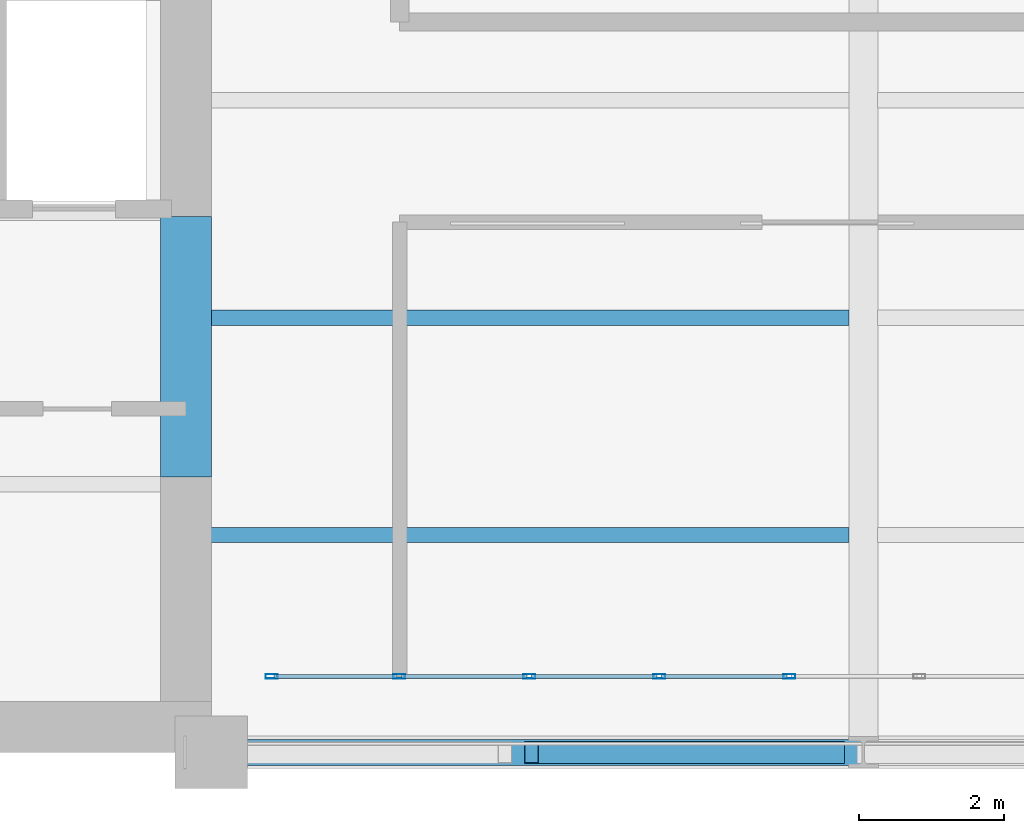
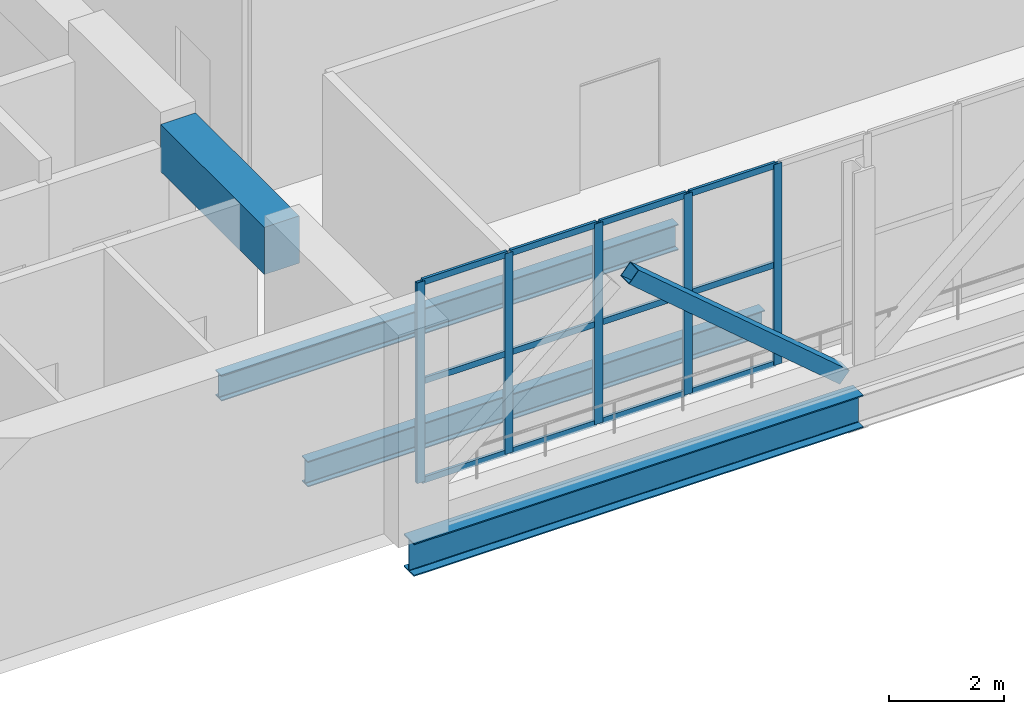
# One storey, part 2 of 27: 18 members, 4 beams, 1 element without a shape of its own.
"""IFC4 building model written with IfcOpenShell, lengths in metres."""

from ifc_helpers import new_model, si_unit, direction, frame, origin, origin_2d, place, context, subcontext, project, spatial, rectangle, hollow_rectangle, i_section, extrude, material, layer, layer_set, material_profile, profile_set, type_object, element, aggregate, save


model = new_model("IFC4")

# Units and contexts
model_context = context("Model", 3, precision=1e-05, world=origin(), true_north=direction((0.0, 1.0)))
body_context = subcontext(model_context, "Body", "Model", "MODEL_VIEW")
ifc_project = project(units=[si_unit("LENGTHUNIT", "METRE"), si_unit("AREAUNIT", "SQUARE_METRE"), si_unit("VOLUMEUNIT", "CUBIC_METRE"), si_unit("PLANEANGLEUNIT", "RADIAN"), si_unit("MASSUNIT", "GRAM", prefix="KILO")], contexts=[model_context])

# Site, building, storey
site_placement = place(None, origin())
site = spatial("IfcSite", under=ifc_project, at=site_placement, CompositionType="ELEMENT")
building_placement = place(site_placement, origin())
building = spatial("IfcBuilding", under=site, at=building_placement, Name="Mawjdan Bourse Tower", CompositionType="ELEMENT")
storey_placement = place(building_placement, frame((0.0, 0.0, 155.699951171875)))
storey = spatial("IfcBuildingStorey", under=building, at=storey_placement, Name="L37", CompositionType="ELEMENT", Elevation=155.699951171875)

# Member
ifc_material_1 = material(Name="Structural Steel S460", Category="steel")
ifc_material_profile_1 = material_profile(ifc_material_1, hollow_rectangle(XDim=0.300048828125, YDim=0.300048828125, WallThickness=0.012451171875, at=origin_2d()), Name="HSS300X300X12.5")
ifc_profile_set_1 = profile_set([ifc_material_profile_1], Name="Structural Steel S460")
member_type_1 = type_object("IfcMemberType", Name="BRC-HSS300X300X12.5", PredefinedType="BRACE", material=ifc_profile_set_1)
member_1_placement = place(storey_placement, frame((28.4208984375, 3.0, 3.800048828125), z_axis=(0.76082628285, 0.0, -0.648955597345), x_axis=(0.0, 1.0, 0.0)))
element("IfcMember", 1, at=member_1_placement, inside=storey, type_object=member_type_1, Name="L37 East Outrigger Truss 1 Diagonal 2", PredefinedType="BRACE", context=body_context, shape_type="SweptSolid", body=[
    extrude(hollow_rectangle(XDim=0.300048828125, YDim=0.300048828125, WallThickness=0.012451171875, at=origin_2d()), origin(), (0.0, 0.0, 1.0), 5.547607421875),
])

# Beams
ifc_material_2 = material(Name="Structural Steel S355", Category="steel")
ifc_material_profile_2 = material_profile(ifc_material_2, i_section(OverallWidth=0.2119140625, OverallDepth=0.5439453125, WebThickness=0.01318359375, FlangeThickness=0.021240234375, FilletRadius=0.01708984375, at=origin_2d()), Name="W21X83")
ifc_profile_set_2 = profile_set([ifc_material_profile_2], Name="Structural Steel S355")
beam_type_1 = type_object("IfcBeamType", Name="JST-W21X83", PredefinedType="JOIST", material=ifc_profile_set_2)
for number, where, z_axis, x_axis, name in (
    (2, (23.64990234375, 6.0, -0.552001953125), (1.0, 0.0, 0.0), (0.0, 1.0, 0.0), "L37 East Wing Composite Joist 020"),
    (3, (23.64990234375, 9.0, -0.552001953125), (1.0, 0.0, 0.0), (0.0, 1.0, 0.0), "L37 East Wing Composite Joist 026"),
):
    element("IfcBeam", number, at=place(storey_placement, frame(where, z_axis=z_axis, x_axis=x_axis)), inside=storey, type_object=beam_type_1, Name=name, PredefinedType="JOIST", context=body_context, shape_type="SweptSolid", body=[
        extrude(i_section(OverallWidth=0.2119140625, OverallDepth=0.5439453125, WebThickness=0.01318359375, FlangeThickness=0.021240234375, FilletRadius=0.01708984375, at=origin_2d()), origin(), (0.0, 0.0, 1.0), 9.152587890625),
    ])
ifc_material_3 = material(Name="Concrete C70/85", Category="concrete")
ifc_material_profile_3 = material_profile(ifc_material_3, rectangle(XDim=0.699951171875, YDim=1.0, at=origin_2d()), Name="RCB700X1000")
ifc_profile_set_3 = profile_set([ifc_material_profile_3], Name="Concrete C70/85")
beam_type_2 = type_object("IfcBeamType", Name="LNT-RCB700X1000", PredefinedType="LINTEL", material=ifc_profile_set_3)
beam_1_placement = place(storey_placement, frame((23.64990234375, 6.800048828125, 3.75), z_axis=(0.0, 1.0, 0.0), x_axis=(-1.0, 0.0, 0.0)))
element("IfcBeam", 4, at=beam_1_placement, inside=storey, type_object=beam_type_2, Name="L37 Coupled Core Lintel CB-E1", PredefinedType="LINTEL", context=body_context, shape_type="SweptSolid", body=[
    extrude(rectangle(XDim=0.699951171875, YDim=1.0, at=origin_2d()), origin(), (0.0, 0.0, 1.0), 3.599853515625),
])

# Curtain wall, members
ifc_material_4 = material(Name="Thermally Broken Aluminium and Solar Glass", Category="aluminium")
ifc_layer = layer(ifc_material_4, 0.219970703125)
ifc_layer_set = layer_set([ifc_layer], Name="Thermally Broken Aluminium and Solar Glass")
curtain_wall_type = type_object("IfcCurtainWallType", Name="CW-RFG", PredefinedType="USERDEFINED", material=ifc_layer_set)
curtain_wall_placement = place(storey_placement, origin())
curtain_wall = element("IfcCurtainWall", 5, at=curtain_wall_placement, inside=storey, type_object=curtain_wall_type, Name="L37 Refuge Band South Louvre Curtain Wall", ObjectType="REFUGE BAND LOUVRE SCREEN", PredefinedType="USERDEFINED")
ifc_material_5 = material(Name="Thermally Broken Anodised Aluminium", Category="aluminium")
ifc_material_profile_4 = material_profile(ifc_material_5, hollow_rectangle(XDim=0.06494140625, YDim=0.1650390625, WallThickness=0.00390625, at=origin_2d()), Name="ALU-MUL-165X65")
ifc_profile_set_4 = profile_set([ifc_material_profile_4], Name="Thermally Broken Anodised Aluminium")
member_type_2 = type_object("IfcMemberType", Name="MUL-ALU-MUL-165X65", PredefinedType="MULLION", material=ifc_profile_set_4)
member_2_placement = place(storey_placement, frame((24.83251953125, 4.050048828125, 0.0), z_axis=(0.0, 0.0, 1.0), x_axis=(0.0, 1.0, 0.0)))
member_2 = element("IfcMember", 6, at=member_2_placement, type_object=member_type_2, Name="CW-RFG-L37-RFG-S mullion 1", PredefinedType="MULLION", context=body_context, shape_type="SweptSolid", body=[
    extrude(hollow_rectangle(XDim=0.06494140625, YDim=0.1650390625, WallThickness=0.00390625, at=origin_2d()), origin(), (0.0, 0.0, 1.0), 4.25),
])
member_3_placement = place(storey_placement, frame((26.594482421875, 4.050048828125, 0.0), z_axis=(0.0, 0.0, 1.0), x_axis=(0.0, 1.0, 0.0)))
member_3 = element("IfcMember", 7, at=member_3_placement, type_object=member_type_2, Name="CW-RFG-L37-RFG-S mullion 2", PredefinedType="MULLION", context=body_context, shape_type="SweptSolid", body=[
    extrude(hollow_rectangle(XDim=0.06494140625, YDim=0.1650390625, WallThickness=0.00390625, at=origin_2d()), origin(), (0.0, 0.0, 1.0), 4.25),
])
member_4_placement = place(storey_placement, frame((28.388916015625, 4.050048828125, 0.0), z_axis=(0.0, 0.0, 1.0), x_axis=(0.0, 1.0, 0.0)))
member_4 = element("IfcMember", 8, at=member_4_placement, type_object=member_type_2, Name="CW-RFG-L37-RFG-S mullion 3", PredefinedType="MULLION", context=body_context, shape_type="SweptSolid", body=[
    extrude(hollow_rectangle(XDim=0.06494140625, YDim=0.1650390625, WallThickness=0.00390625, at=origin_2d()), origin(), (0.0, 0.0, 1.0), 4.25),
])
member_5_placement = place(storey_placement, frame((30.183349609375, 4.050048828125, 0.0), z_axis=(0.0, 0.0, 1.0), x_axis=(0.0, 1.0, 0.0)))
member_5 = element("IfcMember", 9, at=member_5_placement, type_object=member_type_2, Name="CW-RFG-L37-RFG-S mullion 4", PredefinedType="MULLION", context=body_context, shape_type="SweptSolid", body=[
    extrude(hollow_rectangle(XDim=0.06494140625, YDim=0.1650390625, WallThickness=0.00390625, at=origin_2d()), origin(), (0.0, 0.0, 1.0), 4.25),
])
member_6_placement = place(storey_placement, frame((31.977783203125, 4.050048828125, 0.0), z_axis=(0.0, 0.0, 1.0), x_axis=(0.0, 1.0, 0.0)))
member_6 = element("IfcMember", 10, at=member_6_placement, type_object=member_type_2, Name="CW-RFG-L37-RFG-S mullion 5", PredefinedType="MULLION", context=body_context, shape_type="SweptSolid", body=[
    extrude(hollow_rectangle(XDim=0.06494140625, YDim=0.1650390625, WallThickness=0.00390625, at=origin_2d()), origin(), (0.0, 0.0, 1.0), 4.25),
])

# Beam
ifc_material_profile_5 = material_profile(ifc_material_2, i_section(OverallWidth=0.35498046875, OverallDepth=0.696044921875, WebThickness=0.015380859375, FlangeThickness=0.02490234375, FilletRadius=0.019775390625, at=origin_2d()), Name="W27X146")
ifc_profile_set_5 = profile_set([ifc_material_profile_5], Name="Structural Steel S355")
beam_type_3 = type_object("IfcBeamType", Name="SPN-W27X146", PredefinedType="SPANDREL", material=ifc_profile_set_5)
beam_2_placement = place(storey_placement, frame((24.0, 3.0, -0.6279296875), z_axis=(1.0, 0.0, 0.0), x_axis=(0.0, 1.0, 0.0)))
element("IfcBeam", 11, at=beam_2_placement, inside=storey, type_object=beam_type_3, Name="L37 Perimeter Masonry-Shelf Spandrel 008", PredefinedType="SPANDREL", context=body_context, shape_type="SweptSolid", body=[
    extrude(i_section(OverallWidth=0.35498046875, OverallDepth=0.696044921875, WebThickness=0.015380859375, FlangeThickness=0.02490234375, FilletRadius=0.019775390625, at=origin_2d()), origin(), (0.0, 0.0, 1.0), 9.0),
])

# Member
ifc_material_profile_6 = material_profile(ifc_material_5, hollow_rectangle(XDim=0.054931640625, YDim=0.1298828125, WallThickness=0.00341796875, at=origin_2d()), Name="ALU-TRN-130X55")
ifc_profile_set_6 = profile_set([ifc_material_profile_6], Name="Thermally Broken Anodised Aluminium")
member_type_3 = type_object("IfcMemberType", Name="TRN-ALU-TRN-130X55", PredefinedType="USERDEFINED", material=ifc_profile_set_6)
member_7_placement = place(storey_placement, frame((24.864990234375, 4.050048828125, 0.027587890625), z_axis=(1.0, 0.0, 0.0), x_axis=(0.0, 1.0, 0.0)))
member_7 = element("IfcMember", 12, at=member_7_placement, type_object=member_type_3, Name="CW-RFG-L37-RFG-S transom 1.1", ObjectType="TRANSOM", PredefinedType="USERDEFINED", context=body_context, shape_type="SweptSolid", body=[
    extrude(hollow_rectangle(XDim=0.054931640625, YDim=0.1298828125, WallThickness=0.00341796875, at=origin_2d()), origin(), (0.0, 0.0, 1.0), 1.697021484375),
])

member_8_placement = place(storey_placement, frame((24.864990234375, 4.050048828125, 2.125), z_axis=(1.0, 0.0, 0.0), x_axis=(0.0, 1.0, 0.0)))
member_8 = element("IfcMember", 13, at=member_8_placement, type_object=member_type_3, Name="CW-RFG-L37-RFG-S transom 1.2", ObjectType="TRANSOM", PredefinedType="USERDEFINED", context=body_context, shape_type="SweptSolid", body=[
    extrude(hollow_rectangle(XDim=0.054931640625, YDim=0.1298828125, WallThickness=0.00341796875, at=origin_2d()), origin(), (0.0, 0.0, 1.0), 1.697021484375),
])

member_9_placement = place(storey_placement, frame((24.864990234375, 4.050048828125, 4.22265625), z_axis=(1.0, 0.0, 0.0), x_axis=(0.0, 1.0, 0.0)))
member_9 = element("IfcMember", 14, at=member_9_placement, type_object=member_type_3, Name="CW-RFG-L37-RFG-S transom 1.3", ObjectType="TRANSOM", PredefinedType="USERDEFINED", context=body_context, shape_type="SweptSolid", body=[
    extrude(hollow_rectangle(XDim=0.054931640625, YDim=0.1298828125, WallThickness=0.00341796875, at=origin_2d()), origin(), (0.0, 0.0, 1.0), 1.697021484375),
])

member_10_placement = place(storey_placement, frame((26.626953125, 4.050048828125, 0.027587890625), z_axis=(1.0, 0.0, 0.0), x_axis=(0.0, 1.0, 0.0)))
member_10 = element("IfcMember", 15, at=member_10_placement, type_object=member_type_3, Name="CW-RFG-L37-RFG-S transom 2.1", ObjectType="TRANSOM", PredefinedType="USERDEFINED", context=body_context, shape_type="SweptSolid", body=[
    extrude(hollow_rectangle(XDim=0.054931640625, YDim=0.1298828125, WallThickness=0.00341796875, at=origin_2d()), origin(), (0.0, 0.0, 1.0), 1.7294921875),
])

member_11_placement = place(storey_placement, frame((26.626953125, 4.050048828125, 2.125), z_axis=(1.0, 0.0, 0.0), x_axis=(0.0, 1.0, 0.0)))
member_11 = element("IfcMember", 16, at=member_11_placement, type_object=member_type_3, Name="CW-RFG-L37-RFG-S transom 2.2", ObjectType="TRANSOM", PredefinedType="USERDEFINED", context=body_context, shape_type="SweptSolid", body=[
    extrude(hollow_rectangle(XDim=0.054931640625, YDim=0.1298828125, WallThickness=0.00341796875, at=origin_2d()), origin(), (0.0, 0.0, 1.0), 1.7294921875),
])

member_12_placement = place(storey_placement, frame((26.626953125, 4.050048828125, 4.22265625), z_axis=(1.0, 0.0, 0.0), x_axis=(0.0, 1.0, 0.0)))
member_12 = element("IfcMember", 17, at=member_12_placement, type_object=member_type_3, Name="CW-RFG-L37-RFG-S transom 2.3", ObjectType="TRANSOM", PredefinedType="USERDEFINED", context=body_context, shape_type="SweptSolid", body=[
    extrude(hollow_rectangle(XDim=0.054931640625, YDim=0.1298828125, WallThickness=0.00341796875, at=origin_2d()), origin(), (0.0, 0.0, 1.0), 1.7294921875),
])

member_13_placement = place(storey_placement, frame((28.42138671875, 4.050048828125, 0.027587890625), z_axis=(1.0, 0.0, 0.0), x_axis=(0.0, 1.0, 0.0)))
member_13 = element("IfcMember", 18, at=member_13_placement, type_object=member_type_3, Name="CW-RFG-L37-RFG-S transom 3.1", ObjectType="TRANSOM", PredefinedType="USERDEFINED", context=body_context, shape_type="SweptSolid", body=[
    extrude(hollow_rectangle(XDim=0.054931640625, YDim=0.1298828125, WallThickness=0.00341796875, at=origin_2d()), origin(), (0.0, 0.0, 1.0), 1.7294921875),
])

member_14_placement = place(storey_placement, frame((28.42138671875, 4.050048828125, 2.125), z_axis=(1.0, 0.0, 0.0), x_axis=(0.0, 1.0, 0.0)))
member_14 = element("IfcMember", 19, at=member_14_placement, type_object=member_type_3, Name="CW-RFG-L37-RFG-S transom 3.2", ObjectType="TRANSOM", PredefinedType="USERDEFINED", context=body_context, shape_type="SweptSolid", body=[
    extrude(hollow_rectangle(XDim=0.054931640625, YDim=0.1298828125, WallThickness=0.00341796875, at=origin_2d()), origin(), (0.0, 0.0, 1.0), 1.7294921875),
])

member_15_placement = place(storey_placement, frame((28.42138671875, 4.050048828125, 4.22265625), z_axis=(1.0, 0.0, 0.0), x_axis=(0.0, 1.0, 0.0)))
member_15 = element("IfcMember", 20, at=member_15_placement, type_object=member_type_3, Name="CW-RFG-L37-RFG-S transom 3.3", ObjectType="TRANSOM", PredefinedType="USERDEFINED", context=body_context, shape_type="SweptSolid", body=[
    extrude(hollow_rectangle(XDim=0.054931640625, YDim=0.1298828125, WallThickness=0.00341796875, at=origin_2d()), origin(), (0.0, 0.0, 1.0), 1.7294921875),
])

member_16_placement = place(storey_placement, frame((30.2158203125, 4.050048828125, 0.027587890625), z_axis=(1.0, 0.0, 0.0), x_axis=(0.0, 1.0, 0.0)))
member_16 = element("IfcMember", 21, at=member_16_placement, type_object=member_type_3, Name="CW-RFG-L37-RFG-S transom 4.1", ObjectType="TRANSOM", PredefinedType="USERDEFINED", context=body_context, shape_type="SweptSolid", body=[
    extrude(hollow_rectangle(XDim=0.054931640625, YDim=0.1298828125, WallThickness=0.00341796875, at=origin_2d()), origin(), (0.0, 0.0, 1.0), 1.7294921875),
])

member_17_placement = place(storey_placement, frame((30.2158203125, 4.050048828125, 2.125), z_axis=(1.0, 0.0, 0.0), x_axis=(0.0, 1.0, 0.0)))
member_17 = element("IfcMember", 22, at=member_17_placement, type_object=member_type_3, Name="CW-RFG-L37-RFG-S transom 4.2", ObjectType="TRANSOM", PredefinedType="USERDEFINED", context=body_context, shape_type="SweptSolid", body=[
    extrude(hollow_rectangle(XDim=0.054931640625, YDim=0.1298828125, WallThickness=0.00341796875, at=origin_2d()), origin(), (0.0, 0.0, 1.0), 1.7294921875),
])

member_18_placement = place(storey_placement, frame((30.2158203125, 4.050048828125, 4.22265625), z_axis=(1.0, 0.0, 0.0), x_axis=(0.0, 1.0, 0.0)))
member_18 = element("IfcMember", 23, at=member_18_placement, type_object=member_type_3, Name="CW-RFG-L37-RFG-S transom 4.3", ObjectType="TRANSOM", PredefinedType="USERDEFINED", context=body_context, shape_type="SweptSolid", body=[
    extrude(hollow_rectangle(XDim=0.054931640625, YDim=0.1298828125, WallThickness=0.00341796875, at=origin_2d()), origin(), (0.0, 0.0, 1.0), 1.7294921875),
])

aggregate(curtain_wall, [member_2, member_3, member_4, member_5, member_6, member_7, member_8, member_9, member_10, member_11, member_12, member_13, member_14, member_15, member_16, member_17, member_18])

save(model, "model.ifc")
